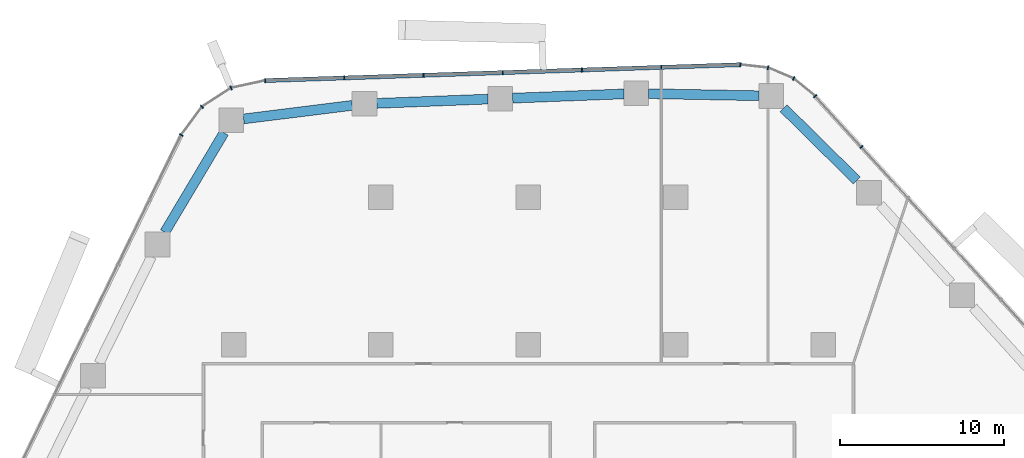
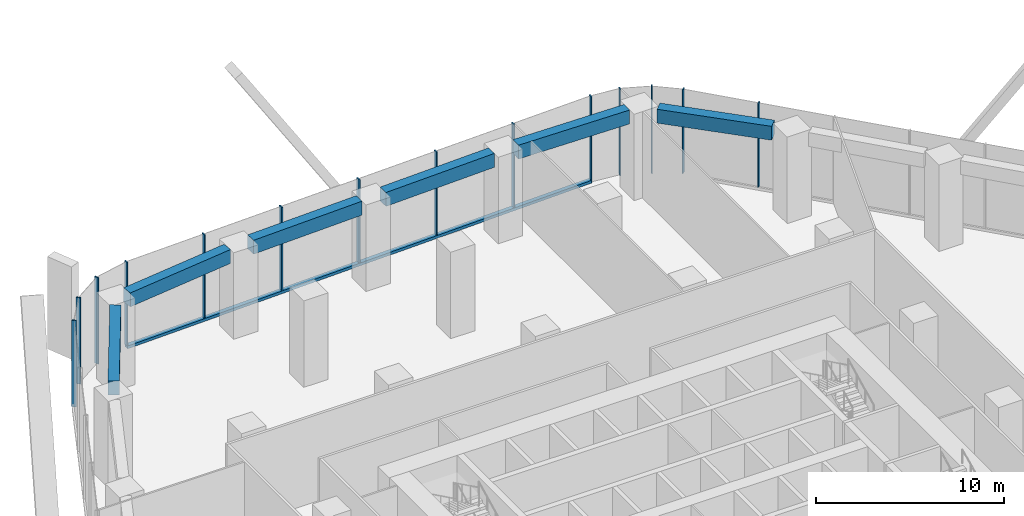
# One storey, part 8 of 19: 15 members, 6 beams, 4 elements without a shape of their own.
"""IFC4 building model written with IfcOpenShell, lengths in metres."""

from ifc_helpers import new_model, si_unit, direction, frame, origin, origin_2d, place, context, subcontext, project, spatial, rectangle, extrude, material, layer, layer_set, material_profile, profile_set, type_object, element, aggregate, save


model = new_model("IFC4")

# Units and contexts
model_context = context("Model", 3, precision=1e-05, world=origin(), true_north=direction((0.0, 1.0)))
body_context = subcontext(model_context, "Body", "Model", "MODEL_VIEW")
ifc_project = project(units=[si_unit("LENGTHUNIT", "METRE"), si_unit("AREAUNIT", "SQUARE_METRE"), si_unit("VOLUMEUNIT", "CUBIC_METRE"), si_unit("PLANEANGLEUNIT", "RADIAN"), si_unit("MASSUNIT", "GRAM", prefix="KILO")], contexts=[model_context])

# Site, building, storey
site_placement = place(None, origin())
site = spatial("IfcSite", under=ifc_project, at=site_placement, CompositionType="ELEMENT")
building_placement = place(site_placement, origin())
building = spatial("IfcBuilding", under=site, at=building_placement, Name="Dongbaek Canopy Tower", CompositionType="ELEMENT")
storey_placement = place(building_placement, frame((0.0, 0.0, 38.0)))
storey = spatial("IfcBuildingStorey", under=building, at=storey_placement, Name="L05", CompositionType="ELEMENT", Elevation=38.0)

# Curtain wall, members
ifc_material_1 = material(Name="Aluminium 6063-T6 pale anodised", Category="aluminium")
ifc_layer = layer(ifc_material_1, 0.25)
ifc_layer_set = layer_set([ifc_layer], Name="CW-4 sky-lobby curtain wall")
curtain_wall_type = type_object("IfcCurtainWallType", Name="CW-4 sky-lobby curtain wall", PredefinedType="NOTDEFINED", material=ifc_layer_set)
curtain_wall_1_placement = place(storey_placement, origin())
curtain_wall_1 = element("IfcCurtainWall", 1, at=curtain_wall_1_placement, inside=storey, type_object=curtain_wall_type, Name="CW-4 curtain wall F0.1", PredefinedType="NOTDEFINED")
ifc_material_2 = material(Name="Aluminium 6063-T6 pale anodised", Category="aluminium")
ifc_material_profile_1 = material_profile(ifc_material_2, rectangle(XDim=0.25, YDim=0.070068359375, at=origin_2d()), Name="CW-4 mullion 70 x 250")
ifc_profile_set_1 = profile_set([ifc_material_profile_1], Name="Aluminium 6063-T6 pale anodised")
member_type_1 = type_object("IfcMemberType", Name="CW-4 mullion 70 x 250", PredefinedType="MULLION", material=ifc_profile_set_1)
member_1_placement = place(storey_placement, frame((20.34765625, 30.083740234375, 0.179931640625), z_axis=(0.0, 0.0, 1.0), x_axis=(0.738140821352, 0.674646668897, 0.0)))
member_1 = element("IfcMember", 2, at=member_1_placement, type_object=member_type_1, Name="CW-4 mullion F0.1.7", PredefinedType="MULLION", context=body_context, shape_type="SweptSolid", body=[
    extrude(rectangle(XDim=0.25, YDim=0.070068359375, at=origin_2d()), origin(), (0.0, 0.0, 1.0), 5.420166015625),
])
member_2_placement = place(storey_placement, frame((17.512939453125, 33.185302734375, 0.179931640625), z_axis=(0.0, 0.0, 1.0), x_axis=(0.738140821352, 0.674646668897, 0.0)))
member_2 = element("IfcMember", 3, at=member_2_placement, type_object=member_type_1, Name="CW-4 mullion F0.1.8", PredefinedType="MULLION", context=body_context, shape_type="SweptSolid", body=[
    extrude(rectangle(XDim=0.25, YDim=0.070068359375, at=origin_2d()), origin(), (0.0, 0.0, 1.0), 5.420166015625),
])
aggregate(curtain_wall_1, [member_1, member_2])

curtain_wall_2_placement = place(storey_placement, origin())
curtain_wall_2 = element("IfcCurtainWall", 4, at=curtain_wall_2_placement, inside=storey, type_object=curtain_wall_type, Name="CW-4 curtain wall K1.1", PredefinedType="NOTDEFINED")
member_3_placement = place(storey_placement, frame((16.197998046875, 34.2626953125, 0.0), z_axis=(0.0, 0.0, 1.0), x_axis=(0.516185158551, 0.856477017842, 0.0)))
member_3 = element("IfcMember", 5, at=member_3_placement, type_object=member_type_1, Name="CW-4 mullion K1.1.2", PredefinedType="MULLION", context=body_context, shape_type="SweptSolid", body=[
    extrude(rectangle(XDim=0.25, YDim=0.070068359375, at=origin_2d()), origin(), (0.0, 0.0, 1.0), 5.60009765625),
])
member_4_placement = place(storey_placement, frame((14.63818359375, 34.919189453125, 0.0), z_axis=(0.0, 0.0, 1.0), x_axis=(0.25173373078, 0.967796532742, 0.0)))
member_4 = element("IfcMember", 6, at=member_4_placement, type_object=member_type_1, Name="CW-4 mullion K1.1.3", PredefinedType="MULLION", context=body_context, shape_type="SweptSolid", body=[
    extrude(rectangle(XDim=0.25, YDim=0.070068359375, at=origin_2d()), origin(), (0.0, 0.0, 1.0), 5.60009765625),
])
member_5_placement = place(storey_placement, frame((12.948486328125, 35.106689453125, 0.0), z_axis=(0.0, 0.0, 1.0), x_axis=(0.110286668117, 0.993899819316, 0.0)))
member_5 = element("IfcMember", 7, at=member_5_placement, type_object=member_type_1, Name="CW-4 mullion K1.1.4", PredefinedType="MULLION", context=body_context, shape_type="SweptSolid", body=[
    extrude(rectangle(XDim=0.25, YDim=0.070068359375, at=origin_2d()), origin(), (0.0, 0.0, 1.0), 5.60009765625),
])
aggregate(curtain_wall_2, [member_3, member_4, member_5])

curtain_wall_3_placement = place(storey_placement, origin())
curtain_wall_3 = element("IfcCurtainWall", 8, at=curtain_wall_3_placement, inside=storey, type_object=curtain_wall_type, Name="CW-4 curtain wall F1.1", PredefinedType="NOTDEFINED")
member_6_placement = place(storey_placement, frame((8.115966796875, 34.945068359375, 0.179931640625), z_axis=(0.0, 0.0, 1.0), x_axis=(-0.033442077166, 0.999440657305, 0.0)))
member_6 = element("IfcMember", 9, at=member_6_placement, type_object=member_type_1, Name="CW-4 mullion F1.1.2", PredefinedType="MULLION", context=body_context, shape_type="SweptSolid", body=[
    extrude(rectangle(XDim=0.25, YDim=0.070068359375, at=origin_2d()), origin(), (0.0, 0.0, 1.0), 5.420166015625),
])
member_7_placement = place(storey_placement, frame((3.276123046875, 34.782958984375, 0.179931640625), z_axis=(0.0, 0.0, 1.0), x_axis=(-0.033442077166, 0.999440657305, 0.0)))
member_7 = element("IfcMember", 10, at=member_7_placement, type_object=member_type_1, Name="CW-4 mullion F1.1.3", PredefinedType="MULLION", context=body_context, shape_type="SweptSolid", body=[
    extrude(rectangle(XDim=0.25, YDim=0.070068359375, at=origin_2d()), origin(), (0.0, 0.0, 1.0), 5.420166015625),
])
member_8_placement = place(storey_placement, frame((-1.563720703125, 34.62109375, 0.179931640625), z_axis=(0.0, 0.0, 1.0), x_axis=(-0.033442077166, 0.999440657305, 0.0)))
member_8 = element("IfcMember", 11, at=member_8_placement, type_object=member_type_1, Name="CW-4 mullion F1.1.4", PredefinedType="MULLION", context=body_context, shape_type="SweptSolid", body=[
    extrude(rectangle(XDim=0.25, YDim=0.070068359375, at=origin_2d()), origin(), (0.0, 0.0, 1.0), 5.420166015625),
])
member_9_placement = place(storey_placement, frame((-6.403564453125, 34.459228515625, 0.179931640625), z_axis=(0.0, 0.0, 1.0), x_axis=(-0.033442077166, 0.999440657305, 0.0)))
member_9 = element("IfcMember", 12, at=member_9_placement, type_object=member_type_1, Name="CW-4 mullion F1.1.5", PredefinedType="MULLION", context=body_context, shape_type="SweptSolid", body=[
    extrude(rectangle(XDim=0.25, YDim=0.070068359375, at=origin_2d()), origin(), (0.0, 0.0, 1.0), 5.420166015625),
])
member_10_placement = place(storey_placement, frame((-11.243408203125, 34.29736328125, 0.179931640625), z_axis=(0.0, 0.0, 1.0), x_axis=(-0.033442077166, 0.999440657305, 0.0)))
member_10 = element("IfcMember", 13, at=member_10_placement, type_object=member_type_1, Name="CW-4 mullion F1.1.6", PredefinedType="MULLION", context=body_context, shape_type="SweptSolid", body=[
    extrude(rectangle(XDim=0.25, YDim=0.070068359375, at=origin_2d()), origin(), (0.0, 0.0, 1.0), 5.420166015625),
])
member_11_placement = place(storey_placement, frame((-16.07421875, 34.135498046875, 0.179931640625), z_axis=(0.0, 0.0, 1.0), x_axis=(-0.033442077166, 0.999440657305, 0.0)))
member_11 = element("IfcMember", 14, at=member_11_placement, type_object=member_type_1, Name="CW-4 mullion F1.1.7", PredefinedType="MULLION", context=body_context, shape_type="SweptSolid", body=[
    extrude(rectangle(XDim=0.25, YDim=0.070068359375, at=origin_2d()), origin(), (0.0, 0.0, 1.0), 5.420166015625),
])

curtain_wall_4_placement = place(storey_placement, origin())
curtain_wall_4 = element("IfcCurtainWall", 15, at=curtain_wall_4_placement, inside=storey, type_object=curtain_wall_type, Name="CW-4 curtain wall K2.1", PredefinedType="NOTDEFINED")
member_12_placement = place(storey_placement, frame((-18.15380859375, 33.68359375, 0.0), z_axis=(0.0, 0.0, 1.0), x_axis=(-0.384486765383, 0.923130503908, 0.0)))
member_12 = element("IfcMember", 16, at=member_12_placement, type_object=member_type_1, Name="CW-4 mullion K2.1.2", PredefinedType="MULLION", context=body_context, shape_type="SweptSolid", body=[
    extrude(rectangle(XDim=0.25, YDim=0.070068359375, at=origin_2d()), origin(), (0.0, 0.0, 1.0), 5.60009765625),
])
member_13_placement = place(storey_placement, frame((-19.931884765625, 32.53076171875, 0.0), z_axis=(0.0, 0.0, 1.0), x_axis=(-0.685911278543, 0.727685177784, 0.0)))
member_13 = element("IfcMember", 17, at=member_13_placement, type_object=member_type_1, Name="CW-4 mullion K2.1.3", PredefinedType="MULLION", context=body_context, shape_type="SweptSolid", body=[
    extrude(rectangle(XDim=0.25, YDim=0.070068359375, at=origin_2d()), origin(), (0.0, 0.0, 1.0), 5.60009765625),
])
member_14_placement = place(storey_placement, frame((-21.193115234375, 30.816650390625, 0.0), z_axis=(0.0, 0.0, 1.0), x_axis=(-0.805463414258, 0.59264549968, 0.0)))
member_14 = element("IfcMember", 18, at=member_14_placement, type_object=member_type_1, Name="CW-4 mullion K2.1.4", PredefinedType="MULLION", context=body_context, shape_type="SweptSolid", body=[
    extrude(rectangle(XDim=0.25, YDim=0.070068359375, at=origin_2d()), origin(), (0.0, 0.0, 1.0), 5.60009765625),
])
aggregate(curtain_wall_4, [member_12, member_13, member_14])

# Member
ifc_material_3 = material(Name="Aluminium 6063-T6 pale anodised", Category="aluminium")
ifc_material_profile_2 = material_profile(ifc_material_3, rectangle(XDim=0.25, YDim=0.179931640625, at=origin_2d()), Name="CW-4 transom 180 x 250")
ifc_profile_set_2 = profile_set([ifc_material_profile_2], Name="Aluminium 6063-T6 pale anodised")
member_type_2 = type_object("IfcMemberType", Name="CW-4 transom 180 x 250", PredefinedType="USERDEFINED", material=ifc_profile_set_2)
member_15_placement = place(storey_placement, frame((12.948486328125, 35.106689453125, 0.090087890625), z_axis=(-0.999440578261, -0.033444439381, 0.0), x_axis=(0.033444439381, -0.999440578261, 0.0)))
member_15 = element("IfcMember", 19, at=member_15_placement, type_object=member_type_2, Name="CW-4 transom F1.1.1", ObjectType="TRANSOM", PredefinedType="USERDEFINED", context=body_context, shape_type="SweptSolid", body=[
    extrude(rectangle(XDim=0.25, YDim=0.179931640625, at=origin_2d()), origin(), (0.0, 0.0, 1.0), 29.0390625),
])

aggregate(curtain_wall_3, [member_6, member_7, member_8, member_9, member_10, member_11, member_15])

# Beams
ifc_material_4 = material(Name="Concrete C80", Category="concrete")
ifc_material_profile_3 = material_profile(ifc_material_4, rectangle(XDim=0.60009765625, YDim=0.89990234375, at=origin_2d()), Name="RC EDGE BEAM 600x900 C80")
ifc_profile_set_3 = profile_set([ifc_material_profile_3], Name="Concrete C80")
beam_type = type_object("IfcBeamType", Name="RC EDGE BEAM 600x900 C80", PredefinedType="BEAM", material=ifc_profile_set_3)
beam_1_placement = place(storey_placement, frame((-22.201416015625, 24.875, 5.14990234375), z_axis=(0.511536684445, 0.859261438951, 0.0), x_axis=(-0.859261438951, 0.511536684445, 0.0)))
element("IfcBeam", 20, at=beam_1_placement, inside=storey, type_object=beam_type, Name="EDGEBEAM:L05:12", PredefinedType="BEAM", context=body_context, shape_type="SweptSolid", body=[
    extrude(rectangle(XDim=0.60009765625, YDim=0.89990234375, at=origin_2d()), origin(), (0.0, 0.0, 1.0), 7.06884765625),
])
beam_2_placement = place(storey_placement, frame((-17.388916015625, 31.79248046875, 5.14990234375), z_axis=(0.992300337098, 0.123854919137, 0.0), x_axis=(-0.123854919137, 0.992300337098, 0.0)))
element("IfcBeam", 21, at=beam_2_placement, inside=storey, type_object=beam_type, Name="EDGEBEAM:L05:13", PredefinedType="BEAM", context=body_context, shape_type="SweptSolid", body=[
    extrude(rectangle(XDim=0.60009765625, YDim=0.89990234375, at=origin_2d()), origin(), (0.0, 0.0, 1.0), 6.684326171875),
])
beam_3_placement = place(storey_placement, frame((-9.256103515625, 32.74267578125, 5.14990234375), z_axis=(0.999265250645, 0.038326999019, 0.0), x_axis=(-0.038326999019, 0.999265250645, 0.0)))
element("IfcBeam", 22, at=beam_3_placement, inside=storey, type_object=beam_type, Name="EDGEBEAM:L05:14", PredefinedType="BEAM", context=body_context, shape_type="SweptSolid", body=[
    extrude(rectangle(XDim=0.60009765625, YDim=0.89990234375, at=origin_2d()), origin(), (0.0, 0.0, 1.0), 6.802978515625),
])
beam_4_placement = place(storey_placement, frame((-0.9580078125, 33.060791015625, 5.14990234375), z_axis=(0.99927189778, 0.038153300073, 0.0), x_axis=(-0.038153300073, 0.99927189778, 0.0)))
element("IfcBeam", 23, at=beam_4_placement, inside=storey, type_object=beam_type, Name="EDGEBEAM:L05:15", PredefinedType="BEAM", context=body_context, shape_type="SweptSolid", body=[
    extrude(rectangle(XDim=0.60009765625, YDim=0.89990234375, at=origin_2d()), origin(), (0.0, 0.0, 1.0), 6.802001953125),
])
beam_5_placement = place(storey_placement, frame((7.339111328125, 33.3349609375, 5.14990234375), z_axis=(0.999822704828, -0.018829734762, 0.0), x_axis=(0.018829734762, 0.999822704828, 0.0)))
element("IfcBeam", 24, at=beam_5_placement, inside=storey, type_object=beam_type, Name="EDGEBEAM:L05:16", PredefinedType="BEAM", context=body_context, shape_type="SweptSolid", body=[
    extrude(rectangle(XDim=0.60009765625, YDim=0.89990234375, at=origin_2d()), origin(), (0.0, 0.0, 1.0), 6.7421875),
])
beam_6_placement = place(storey_placement, frame((15.580078125, 32.453857421875, 5.14990234375), z_axis=(0.711712436236, -0.702470930435, 0.0), x_axis=(0.702470930435, 0.711712436236, 0.0)))
element("IfcBeam", 25, at=beam_6_placement, inside=storey, type_object=beam_type, Name="EDGEBEAM:L05:17", PredefinedType="BEAM", context=body_context, shape_type="SweptSolid", body=[
    extrude(rectangle(XDim=0.60009765625, YDim=0.89990234375, at=origin_2d()), origin(), (0.0, 0.0, 1.0), 6.287353515625),
])

save(model, "model.ifc")
